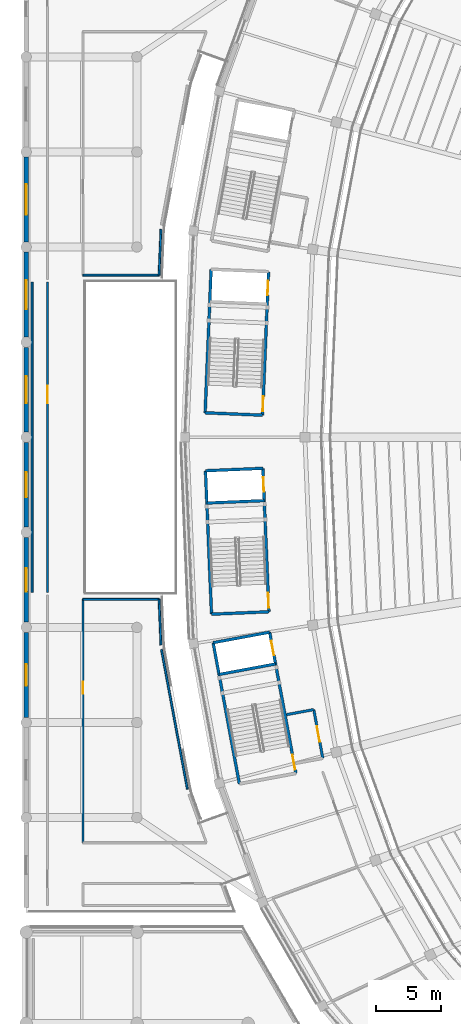
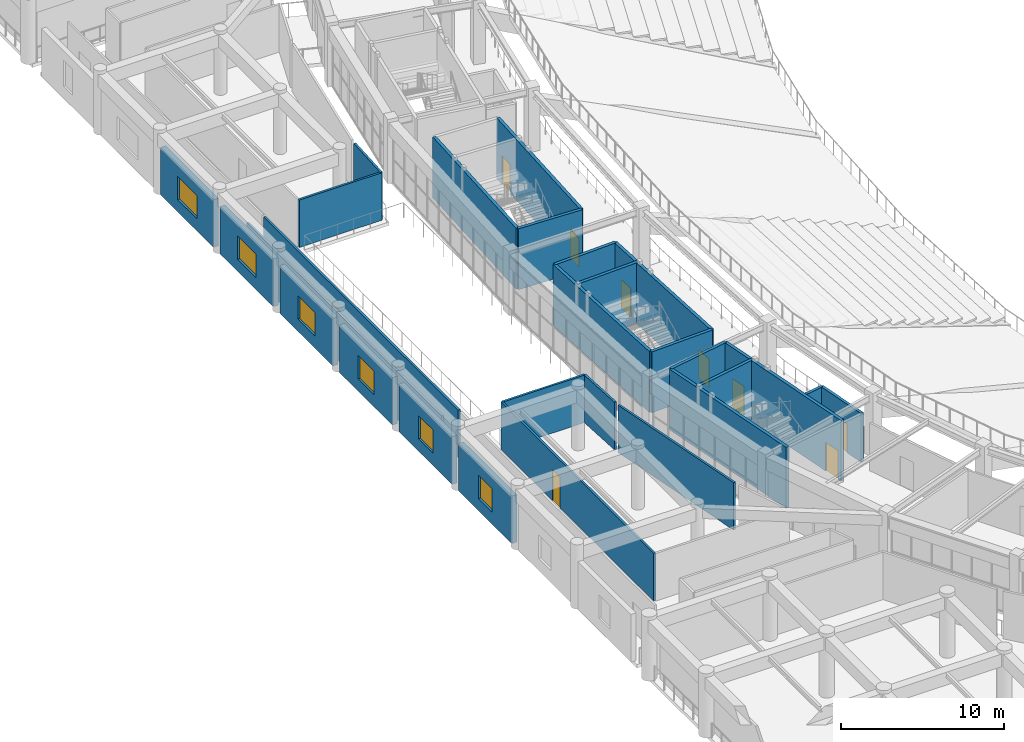
# One storey, part 95 of 137: 28 walls, 9 doors, 6 windows, 15 openings.
"""IFC4 building model written with IfcOpenShell, lengths in metres."""

from ifc_helpers import new_model, si_unit, direction, frame, frame_2d, origin, place, context, subcontext, project, spatial, rectangle, extrude, material, layer, layer_set, type_object, element, fill, save


model = new_model("IFC4")

# Units and contexts
model_context = context("Model", 3, precision=1e-05, world=origin(), true_north=direction((0.0, 1.0)))
body_context = subcontext(model_context, "Body", "Model", "MODEL_VIEW")
ifc_project = project(units=[si_unit("LENGTHUNIT", "METRE"), si_unit("AREAUNIT", "SQUARE_METRE"), si_unit("VOLUMEUNIT", "CUBIC_METRE"), si_unit("PLANEANGLEUNIT", "RADIAN"), si_unit("MASSUNIT", "GRAM", prefix="KILO")], contexts=[model_context])

# Site, building, storey
site_placement = place(None, origin())
site = spatial("IfcSite", under=ifc_project, at=site_placement, CompositionType="ELEMENT")
building_placement = place(site_placement, origin())
building = spatial("IfcBuilding", under=site, at=building_placement, Name="Mphavela Belvedere Stadium", CompositionType="ELEMENT")
storey_placement = place(building_placement, frame((0.0, 0.0, 19.199951171875)))
storey = spatial("IfcBuildingStorey", under=building, at=storey_placement, Name="L04", CompositionType="ELEMENT", Elevation=19.199951171875)

# Walls
ifc_material_1 = material(Name="Concrete C40/50", Category="concrete")
ifc_layer_1 = layer(ifc_material_1, 0.219970703125)
ifc_layer_set_1 = layer_set([ifc_layer_1], Name="Concrete C40/50")
wall_type_1 = type_object("IfcWallType", Name="WAL-CORE-SHEAR-220", PredefinedType="SHEAR", material=ifc_layer_set_1)
wall_1_placement = place(storey_placement, frame((13.737548828125, 88.87548828125, 0.0), z_axis=(0.0, 0.0, 1.0), x_axis=(0.041871977473, 0.999122984173, 0.0)))
element("IfcWall", 1, at=wall_1_placement, inside=storey, type_object=wall_type_1, Name="Core C07 shear wall L04 rear", PredefinedType="SHEAR", context=body_context, shape_type="SweptSolid", body=[
    extrude(rectangle(XDim=11.02001953125, YDim=0.219970703125, at=frame_2d((5.510009765625, 0.0))), origin(), (0.0, 0.0, 1.0), 4.550048828125),
])
wall_2_placement = place(storey_placement, frame((18.143798828125, 88.69091796875, 0.0), z_axis=(0.0, 0.0, 1.0), x_axis=(-0.999123838087, 0.041851596941, 0.0)))
element("IfcWall", 2, at=wall_2_placement, inside=storey, type_object=wall_type_1, Name="Core C07 shear wall L04 left", PredefinedType="SHEAR", context=body_context, shape_type="SweptSolid", body=[
    extrude(rectangle(XDim=4.41015625, YDim=0.219970703125, at=frame_2d((2.205078125, 0.0))), origin(), (0.0, 0.0, 1.0), 4.550048828125),
])

# Wall, openings, doors
wall_3_placement = place(storey_placement, frame((18.143798828125, 88.69091796875, 0.0), z_axis=(0.0, 0.0, 1.0), x_axis=(0.0418498618, 0.999123910768, 0.0)))
wall_3 = element("IfcWall", 3, at=wall_3_placement, inside=storey, type_object=wall_type_1, Name="Core C07 shear wall L04 front", PredefinedType="SHEAR", context=body_context, shape_type="SweptSolid", body=[
    extrude(rectangle(XDim=11.02001953125, YDim=0.219970703125, at=frame_2d((5.510009765625, 0.0))), origin(), (0.0, 0.0, 1.0), 4.550048828125),
])
opening_1_placement = place(wall_3_placement, frame((0.300048828125, 0.0, 0.0)))
opening_1 = element("IfcOpeningElement", 4, at=opening_1_placement, cuts=wall_3, Name="Opening SD-037", PredefinedType="OPENING", context=body_context, shape_type="SweptSolid", body=[
    extrude(rectangle(XDim=1.14990234375, YDim=2.14990234375, at=frame_2d((0.574951171875, 1.074951171875))), frame((0.0, 0.1201171875, 0.0), z_axis=(0.0, -1.0, 0.0), x_axis=(1.0, 0.0, 0.0)), (0.0, 0.0, 1.0), 0.239990234375),
])
opening_2_placement = place(wall_3_placement, frame((9.22998046875, 0.0, 0.0)))
opening_2 = element("IfcOpeningElement", 5, at=opening_2_placement, cuts=wall_3, Name="Opening LD-037", PredefinedType="OPENING", context=body_context, shape_type="SweptSolid", body=[
    extrude(rectangle(XDim=1.10009765625, YDim=2.14990234375, at=frame_2d((0.550048828125, 1.074951171875))), frame((0.0, 0.1201171875, 0.0), z_axis=(0.0, -1.0, 0.0), x_axis=(1.0, 0.0, 0.0)), (0.0, 0.0, 1.0), 0.239990234375),
])
ifc_material_2 = material(Name="Stainless steel center-parting lift landing door", Category="steel")
door_type_1 = type_object("IfcDoorType", Name="DR-LIFT-SLIDE-1100", OperationType="NOTDEFINED", PredefinedType="DOOR", material=ifc_material_2)
door_1_placement = place(opening_2_placement, origin())
door_1 = element("IfcDoor", 6, at=door_1_placement, inside=storey, type_object=door_type_1, Name="Lift landing sliding door PL03 L04", OperationType="DOUBLE_DOOR_SLIDING", OverallHeight=2.14990234375, OverallWidth=1.10009765625, PredefinedType="DOOR", context=body_context, shape_type="SweptSolid", body=[
    extrude(rectangle(XDim=1.10009765625, YDim=2.14990234375, at=frame_2d((0.550048828125, 1.074951171875))), frame((0.0, 0.02490234375, 0.0), z_axis=(0.0, -1.0, 0.0), x_axis=(1.0, 0.0, 0.0)), (0.0, 0.0, 1.0), 0.050048828125),
])
fill(opening_2, door_1)
ifc_material_3 = material(Name="Steel acoustic fire-resisting stair doorset", Category="steel")
door_type_2 = type_object("IfcDoorType", Name="DR-STAIR-FIRE-1150", OperationType="NOTDEFINED", PredefinedType="DOOR", material=ifc_material_3)
door_2_placement = place(opening_1_placement, origin())
door_2 = element("IfcDoor", 7, at=door_2_placement, inside=storey, type_object=door_type_2, Name="Escape stair fire door C07 L04", OperationType="SINGLE_SWING_LEFT", OverallHeight=2.14990234375, OverallWidth=1.14990234375, PredefinedType="DOOR", context=body_context, shape_type="SweptSolid", body=[
    extrude(rectangle(XDim=1.14990234375, YDim=2.14990234375, at=frame_2d((0.574951171875, 1.074951171875))), frame((0.0, 0.02490234375, 0.0), z_axis=(0.0, -1.0, 0.0), x_axis=(1.0, 0.0, 0.0)), (0.0, 0.0, 1.0), 0.050048828125),
])
fill(opening_1, door_2)

# Walls
wall_4_placement = place(storey_placement, frame((14.228271484375, 73.414794921875, 0.0), z_axis=(0.0, 0.0, 1.0), x_axis=(-0.041871977473, 0.999122984173, 0.0)))
element("IfcWall", 8, at=wall_4_placement, inside=storey, type_object=wall_type_1, Name="Core C08 shear wall L04 rear", PredefinedType="SHEAR", context=body_context, shape_type="SweptSolid", body=[
    extrude(rectangle(XDim=11.02001953125, YDim=0.219970703125, at=frame_2d((5.510009765625, 0.0))), origin(), (0.0, 0.0, 1.0), 4.550048828125),
])
for number, where, z_axis, x_axis, name in (
    (9, (18.634521484375, 73.599609375, 0.0), (0.0, 0.0, 1.0), (-0.999121521721, -0.041906859039, 0.0), "Core C08 shear wall L04 left"),
    (10, (18.173095703125, 84.60986328125, 0.0), (0.0, 0.0, 1.0), (-0.999121521721, -0.041906859039, 0.0), "Core C08 shear wall L04 right"),
):
    element("IfcWall", number, at=place(storey_placement, frame(where, z_axis=z_axis, x_axis=x_axis)), inside=storey, type_object=wall_type_1, Name=name, PredefinedType="SHEAR", context=body_context, shape_type="SweptSolid", body=[
        extrude(rectangle(XDim=4.41015625, YDim=0.219970703125, at=frame_2d((2.205078125, 0.0))), origin(), (0.0, 0.0, 1.0), 4.550048828125),
    ])

# Wall, openings, doors
wall_5_placement = place(storey_placement, frame((18.634521484375, 73.599609375, 0.0), z_axis=(0.0, 0.0, 1.0), x_axis=(-0.041871977473, 0.999122984173, 0.0)))
wall_5 = element("IfcWall", 11, at=wall_5_placement, inside=storey, type_object=wall_type_1, Name="Core C08 shear wall L04 front", PredefinedType="SHEAR", context=body_context, shape_type="SweptSolid", body=[
    extrude(rectangle(XDim=11.02001953125, YDim=0.219970703125, at=frame_2d((5.510009765625, 0.0))), origin(), (0.0, 0.0, 1.0), 4.550048828125),
])
opening_3_placement = place(wall_5_placement, frame((0.300048828125, 0.0, 0.0)))
opening_3 = element("IfcOpeningElement", 12, at=opening_3_placement, cuts=wall_5, Name="Opening SD-043", PredefinedType="OPENING", context=body_context, shape_type="SweptSolid", body=[
    extrude(rectangle(XDim=1.14990234375, YDim=2.14990234375, at=frame_2d((0.574951171875, 1.074951171875))), frame((0.0, 0.1201171875, 0.0), z_axis=(0.0, -1.0, 0.0), x_axis=(1.0, 0.0, 0.0)), (0.0, 0.0, 1.0), 0.239990234375),
])
opening_4_placement = place(wall_5_placement, frame((9.22998046875, 0.0, 0.0)))
opening_4 = element("IfcOpeningElement", 13, at=opening_4_placement, cuts=wall_5, Name="Opening LD-043", PredefinedType="OPENING", context=body_context, shape_type="SweptSolid", body=[
    extrude(rectangle(XDim=1.10009765625, YDim=2.14990234375, at=frame_2d((0.550048828125, 1.074951171875))), frame((0.0, 0.1201171875, 0.0), z_axis=(0.0, -1.0, 0.0), x_axis=(1.0, 0.0, 0.0)), (0.0, 0.0, 1.0), 0.239990234375),
])
door_3_placement = place(opening_4_placement, origin())
door_3 = element("IfcDoor", 14, at=door_3_placement, inside=storey, type_object=door_type_1, Name="Lift landing sliding door PL04 L04", OperationType="DOUBLE_DOOR_SLIDING", OverallHeight=2.14990234375, OverallWidth=1.10009765625, PredefinedType="DOOR", context=body_context, shape_type="SweptSolid", body=[
    extrude(rectangle(XDim=1.10009765625, YDim=2.14990234375, at=frame_2d((0.550048828125, 1.074951171875))), frame((0.0, 0.02490234375, 0.0), z_axis=(0.0, -1.0, 0.0), x_axis=(1.0, 0.0, 0.0)), (0.0, 0.0, 1.0), 0.050048828125),
])
fill(opening_4, door_3)
door_4_placement = place(opening_3_placement, origin())
door_4 = element("IfcDoor", 15, at=door_4_placement, inside=storey, type_object=door_type_2, Name="Escape stair fire door C08 L04", OperationType="SINGLE_SWING_LEFT", OverallHeight=2.14990234375, OverallWidth=1.14990234375, PredefinedType="DOOR", context=body_context, shape_type="SweptSolid", body=[
    extrude(rectangle(XDim=1.14990234375, YDim=2.14990234375, at=frame_2d((0.574951171875, 1.074951171875))), frame((0.0, 0.02490234375, 0.0), z_axis=(0.0, -1.0, 0.0), x_axis=(1.0, 0.0, 0.0)), (0.0, 0.0, 1.0), 0.050048828125),
])
fill(opening_3, door_4)

# Walls
wall_6_placement = place(storey_placement, frame((18.27685546875, 82.132080078125, 0.0), z_axis=(0.0, 0.0, 1.0), x_axis=(-0.999121521721, -0.041906859039, 0.0)))
element("IfcWall", 16, at=wall_6_placement, inside=storey, type_object=wall_type_1, Name="Core C08 shear wall L04 div", PredefinedType="SHEAR", context=body_context, shape_type="SweptSolid", body=[
    extrude(rectangle(XDim=4.41015625, YDim=0.219970703125, at=frame_2d((2.205078125, 0.0))), origin(), (0.0, 0.0, 1.0), 4.550048828125),
])
wall_7_placement = place(storey_placement, frame((16.367919921875, 60.391845703125, 0.0), z_axis=(0.0, 0.0, 1.0), x_axis=(-0.182570778451, 0.983192712979, 0.0)))
element("IfcWall", 17, at=wall_7_placement, inside=storey, type_object=wall_type_1, Name="Core C09 shear wall L04 rear", PredefinedType="SHEAR", context=body_context, shape_type="SweptSolid", body=[
    extrude(rectangle(XDim=11.020263671875, YDim=0.219970703125, at=frame_2d((5.51025390625, 0.0))), origin(), (0.0, 0.0, 1.0), 4.550048828125),
])
wall_8_placement = place(storey_placement, frame((18.69189453125, 72.031982421875, 0.0), z_axis=(0.0, 0.0, 1.0), x_axis=(-0.983191575486, -0.182576904051, 0.0)))
element("IfcWall", 18, at=wall_8_placement, inside=storey, type_object=wall_type_1, Name="Core C09 shear wall L04 right", PredefinedType="SHEAR", context=body_context, shape_type="SweptSolid", body=[
    extrude(rectangle(XDim=4.41015625, YDim=0.219970703125, at=frame_2d((2.205078125, 0.0))), origin(), (0.0, 0.0, 1.0), 4.550048828125),
])

# Wall, openings, doors
wall_9_placement = place(storey_placement, frame((20.703857421875, 61.197021484375, 0.0), z_axis=(0.0, 0.0, 1.0), x_axis=(-0.182570778451, 0.983192712979, 0.0)))
wall_9 = element("IfcWall", 19, at=wall_9_placement, inside=storey, type_object=wall_type_1, Name="Core C09 shear wall L04 front", PredefinedType="SHEAR", context=body_context, shape_type="SweptSolid", body=[
    extrude(rectangle(XDim=11.020263671875, YDim=0.219970703125, at=frame_2d((5.51025390625, 0.0))), origin(), (0.0, 0.0, 1.0), 4.550048828125),
])
opening_5_placement = place(wall_9_placement, frame((0.300048828125, 0.0, 0.0)))
opening_5 = element("IfcOpeningElement", 20, at=opening_5_placement, cuts=wall_9, Name="Opening SD-049", PredefinedType="OPENING", context=body_context, shape_type="SweptSolid", body=[
    extrude(rectangle(XDim=1.14990234375, YDim=2.14990234375, at=frame_2d((0.574951171875, 1.074951171875))), frame((0.0, 0.1201171875, 0.0), z_axis=(0.0, -1.0, 0.0), x_axis=(1.0, 0.0, 0.0)), (0.0, 0.0, 1.0), 0.239990234375),
])
opening_6_placement = place(wall_9_placement, frame((9.22998046875, 0.0, 0.0)))
opening_6 = element("IfcOpeningElement", 21, at=opening_6_placement, cuts=wall_9, Name="Opening LD-049", PredefinedType="OPENING", context=body_context, shape_type="SweptSolid", body=[
    extrude(rectangle(XDim=1.10009765625, YDim=2.14990234375, at=frame_2d((0.550048828125, 1.074951171875))), frame((0.0, 0.1201171875, 0.0), z_axis=(0.0, -1.0, 0.0), x_axis=(1.0, 0.0, 0.0)), (0.0, 0.0, 1.0), 0.239990234375),
])
door_5_placement = place(opening_6_placement, origin())
door_5 = element("IfcDoor", 22, at=door_5_placement, inside=storey, type_object=door_type_1, Name="Lift landing sliding door FL04 L04", OperationType="DOUBLE_DOOR_SLIDING", OverallHeight=2.14990234375, OverallWidth=1.10009765625, PredefinedType="DOOR", context=body_context, shape_type="SweptSolid", body=[
    extrude(rectangle(XDim=1.10009765625, YDim=2.14990234375, at=frame_2d((0.550048828125, 1.074951171875))), frame((0.0, 0.02490234375, 0.0), z_axis=(0.0, -1.0, 0.0), x_axis=(1.0, 0.0, 0.0)), (0.0, 0.0, 1.0), 0.050048828125),
])
fill(opening_6, door_5)
door_6_placement = place(opening_5_placement, origin())
door_6 = element("IfcDoor", 23, at=door_6_placement, inside=storey, type_object=door_type_2, Name="Escape stair fire door C09 L04", OperationType="SINGLE_SWING_LEFT", OverallHeight=2.14990234375, OverallWidth=1.14990234375, PredefinedType="DOOR", context=body_context, shape_type="SweptSolid", body=[
    extrude(rectangle(XDim=1.14990234375, YDim=2.14990234375, at=frame_2d((0.574951171875, 1.074951171875))), frame((0.0, 0.02490234375, 0.0), z_axis=(0.0, -1.0, 0.0), x_axis=(1.0, 0.0, 0.0)), (0.0, 0.0, 1.0), 0.050048828125),
])
fill(opening_5, door_6)

# Wall
wall_10_placement = place(storey_placement, frame((19.14453125, 69.593505859375, 0.0), z_axis=(0.0, 0.0, 1.0), x_axis=(-0.983189729951, -0.18258684213, 0.0)))
element("IfcWall", 24, at=wall_10_placement, inside=storey, type_object=wall_type_1, Name="Core C09 shear wall L04 div", PredefinedType="SHEAR", context=body_context, shape_type="SweptSolid", body=[
    extrude(rectangle(XDim=4.409912109375, YDim=0.219970703125, at=frame_2d((2.205078125, 0.0))), origin(), (0.0, 0.0, 1.0), 4.550048828125),
])

# Wall, opening, window
ifc_material_4 = material(Name="Honed ashlar limestone masonry", Category="masonry")
ifc_layer_2 = layer(ifc_material_4, 0.35009765625)
ifc_layer_set_2 = layer_set([ifc_layer_2], Name="Honed ashlar limestone masonry")
wall_type_2 = type_object("IfcWallType", Name="WAL-EXT-ASHLAR-350", PredefinedType="STANDARD", material=ifc_layer_set_2)
wall_11_placement = place(storey_placement, frame((0.0, 65.498046875, 0.0), z_axis=(0.0, 0.0, 1.0), x_axis=(0.0, 1.0, 0.0)))
wall_11 = element("IfcWall", 25, at=wall_11_placement, inside=storey, type_object=wall_type_2, Name="West Planted Eaves Peristyle Colonnade outer facade bay L04-03", PredefinedType="STANDARD", context=body_context, shape_type="SweptSolid", body=[
    extrude(rectangle(XDim=6.50390625, YDim=0.35009765625, at=frame_2d((3.251953125, 0.0))), origin(), (0.0, 0.0, 1.0), 3.56005859375),
])
opening_7_placement = place(wall_11_placement, frame((2.422119140625, 0.0, 0.89990234375)))
opening_7 = element("IfcOpeningElement", 26, at=opening_7_placement, cuts=wall_11, Name="Opening W-280", PredefinedType="OPENING", context=body_context, shape_type="SweptSolid", body=[
    extrude(rectangle(XDim=1.659912109375, YDim=1.75, at=frame_2d((0.830078125, 0.875))), frame((0.0, 0.18505859375, 0.0), z_axis=(0.0, -1.0, 0.0), x_axis=(1.0, 0.0, 0.0)), (0.0, 0.0, 1.0), 0.3701171875),
])
ifc_material_5 = material(Name="Bronze-anodised thermally broken aluminium window", Category="aluminium")
window_type_1 = type_object("IfcWindowType", Name="WIN-EXT-16", PartitioningType="SINGLE_PANEL", PredefinedType="WINDOW", material=ifc_material_5)
window_1_placement = place(opening_7_placement, origin())
window_1 = element("IfcWindow", 27, at=window_1_placement, inside=storey, type_object=window_type_1, Name="West Planted Eaves Peristyle Colonnade classical window W-280", OverallHeight=1.75, OverallWidth=1.659912109375, PartitioningType="SINGLE_PANEL", PredefinedType="WINDOW", context=body_context, shape_type="SweptSolid", body=[
    extrude(rectangle(XDim=1.659912109375, YDim=1.75, at=frame_2d((0.830078125, 0.875))), frame((0.0, 0.030029296875, 0.0), z_axis=(0.0, -1.0, 0.0), x_axis=(1.0, 0.0, 0.0)), (0.0, 0.0, 1.0), 0.06005859375),
])
fill(opening_7, window_1)

wall_12_placement = place(storey_placement, frame((0.0, 72.798095703125, 0.0), z_axis=(0.0, 0.0, 1.0), x_axis=(0.0, 1.0, 0.0)))
wall_12 = element("IfcWall", 28, at=wall_12_placement, inside=storey, type_object=wall_type_2, Name="West Planted Eaves Peristyle Colonnade outer facade bay L04-04", PredefinedType="STANDARD", context=body_context, shape_type="SweptSolid", body=[
    extrude(rectangle(XDim=6.50390625, YDim=0.35009765625, at=frame_2d((3.251953125, 0.0))), origin(), (0.0, 0.0, 1.0), 3.56005859375),
])
opening_8_placement = place(wall_12_placement, frame((2.35205078125, 0.0, 0.89990234375)))
opening_8 = element("IfcOpeningElement", 29, at=opening_8_placement, cuts=wall_12, Name="Opening W-281", PredefinedType="OPENING", context=body_context, shape_type="SweptSolid", body=[
    extrude(rectangle(XDim=1.800048828125, YDim=1.75, at=frame_2d((0.89990234375, 0.875))), frame((0.0, 0.18505859375, 0.0), z_axis=(0.0, -1.0, 0.0), x_axis=(1.0, 0.0, 0.0)), (0.0, 0.0, 1.0), 0.3701171875),
])
ifc_material_6 = material(Name="Bronze-anodised thermally broken aluminium window", Category="aluminium")
window_type_2 = type_object("IfcWindowType", Name="WIN-EXT-17", PartitioningType="SINGLE_PANEL", PredefinedType="WINDOW", material=ifc_material_6)
window_2_placement = place(opening_8_placement, origin())
window_2 = element("IfcWindow", 30, at=window_2_placement, inside=storey, type_object=window_type_2, Name="West Planted Eaves Peristyle Colonnade classical window W-281", OverallHeight=1.75, OverallWidth=1.800048828125, PartitioningType="SINGLE_PANEL", PredefinedType="WINDOW", context=body_context, shape_type="SweptSolid", body=[
    extrude(rectangle(XDim=1.800048828125, YDim=1.75, at=frame_2d((0.89990234375, 0.875))), frame((0.0, 0.030029296875, 0.0), z_axis=(0.0, -1.0, 0.0), x_axis=(1.0, 0.0, 0.0)), (0.0, 0.0, 1.0), 0.06005859375),
])
fill(opening_8, window_2)

wall_13_placement = place(storey_placement, frame((0.0, 80.097900390625, 0.0), z_axis=(0.0, 0.0, 1.0), x_axis=(0.0, 1.0, 0.0)))
wall_13 = element("IfcWall", 31, at=wall_13_placement, inside=storey, type_object=wall_type_2, Name="West Planted Eaves Peristyle Colonnade outer facade bay L04-05", PredefinedType="STANDARD", context=body_context, shape_type="SweptSolid", body=[
    extrude(rectangle(XDim=6.504150390625, YDim=0.35009765625, at=frame_2d((3.251953125, 0.0))), origin(), (0.0, 0.0, 1.0), 3.56005859375),
])
opening_9_placement = place(wall_13_placement, frame((2.281982421875, 0.0, 0.89990234375)))
opening_9 = element("IfcOpeningElement", 32, at=opening_9_placement, cuts=wall_13, Name="Opening W-282", PredefinedType="OPENING", context=body_context, shape_type="SweptSolid", body=[
    extrude(rectangle(XDim=1.93994140625, YDim=1.75, at=frame_2d((0.969970703125, 0.875))), frame((0.0, 0.18505859375, 0.0), z_axis=(0.0, -1.0, 0.0), x_axis=(1.0, 0.0, 0.0)), (0.0, 0.0, 1.0), 0.3701171875),
])
ifc_material_7 = material(Name="Bronze-anodised thermally broken aluminium window", Category="aluminium")
window_type_3 = type_object("IfcWindowType", Name="WIN-EXT-18", PartitioningType="SINGLE_PANEL", PredefinedType="WINDOW", material=ifc_material_7)
window_3_placement = place(opening_9_placement, origin())
window_3 = element("IfcWindow", 33, at=window_3_placement, inside=storey, type_object=window_type_3, Name="West Planted Eaves Peristyle Colonnade classical window W-282", OverallHeight=1.75, OverallWidth=1.93994140625, PartitioningType="SINGLE_PANEL", PredefinedType="WINDOW", context=body_context, shape_type="SweptSolid", body=[
    extrude(rectangle(XDim=1.93994140625, YDim=1.75, at=frame_2d((0.969970703125, 0.875))), frame((0.0, 0.030029296875, 0.0), z_axis=(0.0, -1.0, 0.0), x_axis=(1.0, 0.0, 0.0)), (0.0, 0.0, 1.0), 0.06005859375),
])
fill(opening_9, window_3)

wall_14_placement = place(storey_placement, frame((0.0, 87.39794921875, 0.0), z_axis=(0.0, 0.0, 1.0), x_axis=(0.0, 1.0, 0.0)))
wall_14 = element("IfcWall", 34, at=wall_14_placement, inside=storey, type_object=wall_type_2, Name="West Planted Eaves Peristyle Colonnade outer facade bay L04-06", PredefinedType="STANDARD", context=body_context, shape_type="SweptSolid", body=[
    extrude(rectangle(XDim=6.504150390625, YDim=0.35009765625, at=frame_2d((3.251953125, 0.0))), origin(), (0.0, 0.0, 1.0), 3.56005859375),
])
opening_10_placement = place(wall_14_placement, frame((2.2119140625, 0.0, 0.89990234375)))
opening_10 = element("IfcOpeningElement", 35, at=opening_10_placement, cuts=wall_14, Name="Opening W-283", PredefinedType="OPENING", context=body_context, shape_type="SweptSolid", body=[
    extrude(rectangle(XDim=2.080078125, YDim=1.75, at=frame_2d((1.0400390625, 0.875))), frame((0.0, 0.18505859375, 0.0), z_axis=(0.0, -1.0, 0.0), x_axis=(1.0, 0.0, 0.0)), (0.0, 0.0, 1.0), 0.3701171875),
])
ifc_material_8 = material(Name="Bronze-anodised thermally broken aluminium window", Category="aluminium")
window_type_4 = type_object("IfcWindowType", Name="WIN-EXT-19", PartitioningType="SINGLE_PANEL", PredefinedType="WINDOW", material=ifc_material_8)
window_4_placement = place(opening_10_placement, origin())
window_4 = element("IfcWindow", 36, at=window_4_placement, inside=storey, type_object=window_type_4, Name="West Planted Eaves Peristyle Colonnade classical window W-283", OverallHeight=1.75, OverallWidth=2.080078125, PartitioningType="SINGLE_PANEL", PredefinedType="WINDOW", context=body_context, shape_type="SweptSolid", body=[
    extrude(rectangle(XDim=2.080078125, YDim=1.75, at=frame_2d((1.0400390625, 0.875))), frame((0.0, 0.030029296875, 0.0), z_axis=(0.0, -1.0, 0.0), x_axis=(1.0, 0.0, 0.0)), (0.0, 0.0, 1.0), 0.06005859375),
])
fill(opening_10, window_4)

wall_15_placement = place(storey_placement, frame((0.0, 94.697998046875, 0.0), z_axis=(0.0, 0.0, 1.0), x_axis=(0.0, 1.0, 0.0)))
wall_15 = element("IfcWall", 37, at=wall_15_placement, inside=storey, type_object=wall_type_2, Name="West Planted Eaves Peristyle Colonnade outer facade bay L04-07", PredefinedType="STANDARD", context=body_context, shape_type="SweptSolid", body=[
    extrude(rectangle(XDim=6.50390625, YDim=0.35009765625, at=frame_2d((3.251953125, 0.0))), origin(), (0.0, 0.0, 1.0), 3.56005859375),
])
opening_11_placement = place(wall_15_placement, frame((2.14208984375, 0.0, 0.89990234375)))
opening_11 = element("IfcOpeningElement", 38, at=opening_11_placement, cuts=wall_15, Name="Opening W-284", PredefinedType="OPENING", context=body_context, shape_type="SweptSolid", body=[
    extrude(rectangle(XDim=2.219970703125, YDim=1.75, at=frame_2d((1.10986328125, 0.875))), frame((0.0, 0.18505859375, 0.0), z_axis=(0.0, -1.0, 0.0), x_axis=(1.0, 0.0, 0.0)), (0.0, 0.0, 1.0), 0.3701171875),
])
ifc_material_9 = material(Name="Bronze-anodised thermally broken aluminium window", Category="aluminium")
window_type_5 = type_object("IfcWindowType", Name="WIN-EXT-20", PartitioningType="SINGLE_PANEL", PredefinedType="WINDOW", material=ifc_material_9)
window_5_placement = place(opening_11_placement, origin())
window_5 = element("IfcWindow", 39, at=window_5_placement, inside=storey, type_object=window_type_5, Name="West Planted Eaves Peristyle Colonnade classical window W-284", OverallHeight=1.75, OverallWidth=2.219970703125, PartitioningType="SINGLE_PANEL", PredefinedType="WINDOW", context=body_context, shape_type="SweptSolid", body=[
    extrude(rectangle(XDim=2.219970703125, YDim=1.75, at=frame_2d((1.10986328125, 0.875))), frame((0.0, 0.030029296875, 0.0), z_axis=(0.0, -1.0, 0.0), x_axis=(1.0, 0.0, 0.0)), (0.0, 0.0, 1.0), 0.06005859375),
])
fill(opening_11, window_5)

wall_16_placement = place(storey_placement, frame((0.0, 101.998046875, 0.0), z_axis=(0.0, 0.0, 1.0), x_axis=(0.0, 1.0, 0.0)))
wall_16 = element("IfcWall", 40, at=wall_16_placement, inside=storey, type_object=wall_type_2, Name="West Planted Eaves Peristyle Colonnade outer facade bay L04-08", PredefinedType="STANDARD", context=body_context, shape_type="SweptSolid", body=[
    extrude(rectangle(XDim=6.50390625, YDim=0.35009765625, at=frame_2d((3.251953125, 0.0))), origin(), (0.0, 0.0, 1.0), 3.56005859375),
])
opening_12_placement = place(wall_16_placement, frame((2.072021484375, 0.0, 0.89990234375)))
opening_12 = element("IfcOpeningElement", 41, at=opening_12_placement, cuts=wall_16, Name="Opening W-285", PredefinedType="OPENING", context=body_context, shape_type="SweptSolid", body=[
    extrude(rectangle(XDim=2.360107421875, YDim=1.75, at=frame_2d((1.18017578125, 0.875))), frame((0.0, 0.18505859375, 0.0), z_axis=(0.0, -1.0, 0.0), x_axis=(1.0, 0.0, 0.0)), (0.0, 0.0, 1.0), 0.3701171875),
])
ifc_material_10 = material(Name="Bronze-anodised thermally broken aluminium window", Category="aluminium")
window_type_6 = type_object("IfcWindowType", Name="WIN-EXT-21", PartitioningType="SINGLE_PANEL", PredefinedType="WINDOW", material=ifc_material_10)
window_6_placement = place(opening_12_placement, origin())
window_6 = element("IfcWindow", 42, at=window_6_placement, inside=storey, type_object=window_type_6, Name="West Planted Eaves Peristyle Colonnade classical window W-285", OverallHeight=1.75, OverallWidth=2.360107421875, PartitioningType="SINGLE_PANEL", PredefinedType="WINDOW", context=body_context, shape_type="SweptSolid", body=[
    extrude(rectangle(XDim=2.360107421875, YDim=1.75, at=frame_2d((1.18017578125, 0.875))), frame((0.0, 0.030029296875, 0.0), z_axis=(0.0, -1.0, 0.0), x_axis=(1.0, 0.0, 0.0)), (0.0, 0.0, 1.0), 0.06005859375),
])
fill(opening_12, window_6)

# Wall, opening, door
ifc_material_11 = material(Name="Acoustic gypsum stud partition assembly")
ifc_layer_3 = layer(ifc_material_11, 0.14990234375)
ifc_layer_set_3 = layer_set([ifc_layer_3], Name="Acoustic gypsum stud partition assembly")
wall_type_3 = type_object("IfcWallType", Name="WAL-PART-150", PredefinedType="PARTITIONING", material=ifc_layer_set_3)
wall_17_placement = place(storey_placement, frame((1.639892578125, 98.916748046875, 0.0), z_axis=(0.0, 0.0, 1.0), x_axis=(0.0, -1.0, 0.0)))
wall_17 = element("IfcWall", 43, at=wall_17_placement, inside=storey, type_object=wall_type_3, Name="Room L04-131 corridor partition", PredefinedType="PARTITIONING", context=body_context, shape_type="SweptSolid", body=[
    extrude(rectangle(XDim=23.83349609375, YDim=0.14990234375, at=frame_2d((11.916748046875, 0.0))), origin(), (0.0, 0.0, 1.0), 3.550048828125),
])
opening_13_placement = place(wall_17_placement, frame((7.9755859375, 0.0, 0.0)))
opening_13 = element("IfcOpeningElement", 44, at=opening_13_placement, cuts=wall_17, Name="Opening ID-527", PredefinedType="OPENING", context=body_context, shape_type="SweptSolid", body=[
    extrude(rectangle(XDim=1.320068359375, YDim=2.199951171875, at=frame_2d((0.66015625, 1.10009765625))), frame((0.0, 0.0849609375, 0.0), z_axis=(0.0, -1.0, 0.0), x_axis=(1.0, 0.0, 0.0)), (0.0, 0.0, 1.0), 0.169921875),
])
ifc_material_12 = material(Name="Hardwood acoustic timber doorset", Category="wood")
door_type_3 = type_object("IfcDoorType", Name="DR-INT-23", OperationType="NOTDEFINED", PredefinedType="DOOR", material=ifc_material_12)
door_7_placement = place(opening_13_placement, origin())
door_7 = element("IfcDoor", 45, at=door_7_placement, inside=storey, type_object=door_type_3, Name="Room L04-131 entrance door ID-527", OperationType="SINGLE_SWING_LEFT", OverallHeight=2.199951171875, OverallWidth=1.320068359375, PredefinedType="DOOR", context=body_context, shape_type="SweptSolid", body=[
    extrude(rectangle(XDim=1.320068359375, YDim=2.199951171875, at=frame_2d((0.66015625, 1.10009765625))), frame((0.0, 0.02490234375, 0.0), z_axis=(0.0, -1.0, 0.0), x_axis=(1.0, 0.0, 0.0)), (0.0, 0.0, 1.0), 0.050048828125),
])
fill(opening_13, door_7)

wall_18_placement = place(storey_placement, frame((4.360107421875, 55.860107421875, 0.0), z_axis=(0.0, 0.0, 1.0), x_axis=(0.0, 1.0, 0.0)))
wall_18 = element("IfcWall", 46, at=wall_18_placement, inside=storey, type_object=wall_type_3, Name="Room L04-134 corridor partition", PredefinedType="PARTITIONING", context=body_context, shape_type="SweptSolid", body=[
    extrude(rectangle(XDim=18.68994140625, YDim=0.14990234375, at=frame_2d((9.344970703125, 0.0))), origin(), (0.0, 0.0, 1.0), 3.550048828125),
])
opening_14_placement = place(wall_18_placement, frame((11.44140625, 0.0, 0.0)))
opening_14 = element("IfcOpeningElement", 47, at=opening_14_placement, cuts=wall_18, Name="Opening ID-530", PredefinedType="OPENING", context=body_context, shape_type="SweptSolid", body=[
    extrude(rectangle(XDim=0.93994140625, YDim=2.300048828125, at=frame_2d((0.469970703125, 1.14990234375))), frame((0.0, 0.0849609375, 0.0), z_axis=(0.0, -1.0, 0.0), x_axis=(1.0, 0.0, 0.0)), (0.0, 0.0, 1.0), 0.169921875),
])
ifc_material_13 = material(Name="Hardwood acoustic timber doorset", Category="wood")
door_type_4 = type_object("IfcDoorType", Name="DR-INT-26", OperationType="NOTDEFINED", PredefinedType="DOOR", material=ifc_material_13)
door_8_placement = place(opening_14_placement, origin())
door_8 = element("IfcDoor", 48, at=door_8_placement, inside=storey, type_object=door_type_4, Name="Room L04-134 entrance door ID-530", OperationType="SINGLE_SWING_RIGHT", OverallHeight=2.300048828125, OverallWidth=0.93994140625, PredefinedType="DOOR", context=body_context, shape_type="SweptSolid", body=[
    extrude(rectangle(XDim=0.93994140625, YDim=2.300048828125, at=frame_2d((0.469970703125, 1.14990234375))), frame((0.0, 0.02490234375, 0.0), z_axis=(0.0, -1.0, 0.0), x_axis=(1.0, 0.0, 0.0)), (0.0, 0.0, 1.0), 0.050048828125),
])
fill(opening_14, door_8)

# Walls
wall_19_placement = place(storey_placement, frame((0.449951171875, 75.083251953125, 0.0), z_axis=(0.0, 0.0, 1.0), x_axis=(0.0, 1.0, 0.0)))
element("IfcWall", 49, at=wall_19_placement, inside=storey, type_object=wall_type_3, Name="Room divider partition L04-1201", PredefinedType="PARTITIONING", context=body_context, shape_type="SweptSolid", body=[
    extrude(rectangle(XDim=23.83349609375, YDim=0.14990234375, at=frame_2d((11.916748046875, 0.0))), origin(), (0.0, 0.0, 1.0), 3.550048828125),
])
wall_20_placement = place(storey_placement, frame((10.38671875, 70.698486328125, 0.0), z_axis=(0.0, 0.0, 1.0), x_axis=(0.182620957058, -0.983183393901, 0.0)))
element("IfcWall", 50, at=wall_20_placement, inside=storey, type_object=wall_type_3, Name="Room divider partition L04-1205", PredefinedType="PARTITIONING", context=body_context, shape_type="SweptSolid", body=[
    extrude(rectangle(XDim=10.90087890625, YDim=0.14990234375, at=frame_2d((5.450439453125, 0.0))), origin(), (0.0, 0.0, 1.0), 3.550048828125),
])
wall_21_placement = place(storey_placement, frame((4.360107421875, 74.550048828125, 0.0), z_axis=(0.0, 0.0, 1.0), x_axis=(1.0, 0.0, 0.0)))
element("IfcWall", 51, at=wall_21_placement, inside=storey, type_object=wall_type_3, Name="Room divider partition L04-1208", PredefinedType="PARTITIONING", context=body_context, shape_type="SweptSolid", body=[
    extrude(rectangle(XDim=5.83984375, YDim=0.14990234375, at=frame_2d((2.919921875, 0.0))), origin(), (0.0, 0.0, 1.0), 3.550048828125),
])
for number, where, z_axis, x_axis, name in (
    (52, (10.199951171875, 74.550048828125, 0.0), (0.0, 0.0, 1.0), (0.041888559174, -0.999122289117, 0.0), "Room divider partition L04-1209"),
    (53, (10.3466796875, 102.94970703125, 0.0), (0.0, 0.0, 1.0), (-0.041888559174, -0.999122289117, 0.0), "Room divider partition L04-1211"),
):
    element("IfcWall", number, at=place(storey_placement, frame(where, z_axis=z_axis, x_axis=x_axis)), inside=storey, type_object=wall_type_3, Name=name, PredefinedType="PARTITIONING", context=body_context, shape_type="SweptSolid", body=[
        extrude(rectangle(XDim=3.5029296875, YDim=0.14990234375, at=frame_2d((1.75146484375, 0.0))), origin(), (0.0, 0.0, 1.0), 3.550048828125),
    ])
wall_22_placement = place(storey_placement, frame((10.199951171875, 99.449951171875, 0.0), z_axis=(0.0, 0.0, 1.0), x_axis=(-1.0, 0.0, 0.0)))
element("IfcWall", 54, at=wall_22_placement, inside=storey, type_object=wall_type_3, Name="Room divider partition L04-1212", PredefinedType="PARTITIONING", context=body_context, shape_type="SweptSolid", body=[
    extrude(rectangle(XDim=5.83984375, YDim=0.14990234375, at=frame_2d((2.919921875, 0.0))), origin(), (0.0, 0.0, 1.0), 3.550048828125),
])

# Wall, opening, door
ifc_material_14 = material(Name="Fire-rated calcium silicate partition assembly")
ifc_layer_4 = layer(ifc_material_14, 0.199951171875)
ifc_layer_set_4 = layer_set([ifc_layer_4], Name="Fire-rated calcium silicate partition assembly")
wall_type_4 = type_object("IfcWallType", Name="WAL-PART-FF-200", PredefinedType="PARTITIONING", material=ifc_layer_set_4)
wall_23_placement = place(storey_placement, frame((22.7724609375, 62.354248046875, 0.0), z_axis=(0.0, 0.0, 1.0), x_axis=(-0.182593081072, 0.983188571305, 0.0)))
wall_23 = element("IfcWall", 55, at=wall_23_placement, inside=storey, type_object=wall_type_4, Name="Firefighting lobby front wall C09 L04", PredefinedType="PARTITIONING", context=body_context, shape_type="SweptSolid", body=[
    extrude(rectangle(XDim=3.800048828125, YDim=0.199951171875, at=frame_2d((1.89990234375, 0.0))), origin(), (0.0, 0.0, 1.0), 3.650146484375),
])
opening_15_placement = place(wall_23_placement, frame((1.300048828125, 0.0, 0.0)))
opening_15 = element("IfcOpeningElement", 56, at=opening_15_placement, cuts=wall_23, Name="Opening FD-021", PredefinedType="OPENING", context=body_context, shape_type="SweptSolid", body=[
    extrude(rectangle(XDim=1.199951171875, YDim=2.179931640625, at=frame_2d((0.60009765625, 1.08984375))), frame((0.0, 0.10986328125, 0.0), z_axis=(0.0, -1.0, 0.0), x_axis=(1.0, 0.0, 0.0)), (0.0, 0.0, 1.0), 0.219970703125),
])
ifc_material_15 = material(Name="Steel smoke-sealed firefighting lobby doorset", Category="steel")
door_type_5 = type_object("IfcDoorType", Name="DR-FF-LOBBY-1200", OperationType="NOTDEFINED", PredefinedType="DOOR", material=ifc_material_15)
door_9_placement = place(opening_15_placement, origin())
door_9 = element("IfcDoor", 57, at=door_9_placement, inside=storey, type_object=door_type_5, Name="Firefighting lobby door C09 L04", OperationType="SINGLE_SWING_RIGHT", OverallHeight=2.179931640625, OverallWidth=1.199951171875, PredefinedType="DOOR", context=body_context, shape_type="SweptSolid", body=[
    extrude(rectangle(XDim=1.199951171875, YDim=2.179931640625, at=frame_2d((0.60009765625, 1.08984375))), frame((0.0, 0.02490234375, 0.0), z_axis=(0.0, -1.0, 0.0), x_axis=(1.0, 0.0, 0.0)), (0.0, 0.0, 1.0), 0.050048828125),
])
fill(opening_15, door_9)

# Wall
wall_24_placement = place(storey_placement, frame((22.07861328125, 66.09033203125, 0.0), z_axis=(0.0, 0.0, 1.0), x_axis=(-0.983201728106, -0.182522222892, 0.0)))
element("IfcWall", 58, at=wall_24_placement, inside=storey, type_object=wall_type_4, Name="Firefighting lobby side wall R C09 L04", PredefinedType="PARTITIONING", context=body_context, shape_type="SweptSolid", body=[
    extrude(rectangle(XDim=2.1201171875, YDim=0.199951171875, at=frame_2d((1.06005859375, 0.0))), origin(), (0.0, 0.0, 1.0), 3.650146484375),
])

save(model, "model.ifc")
